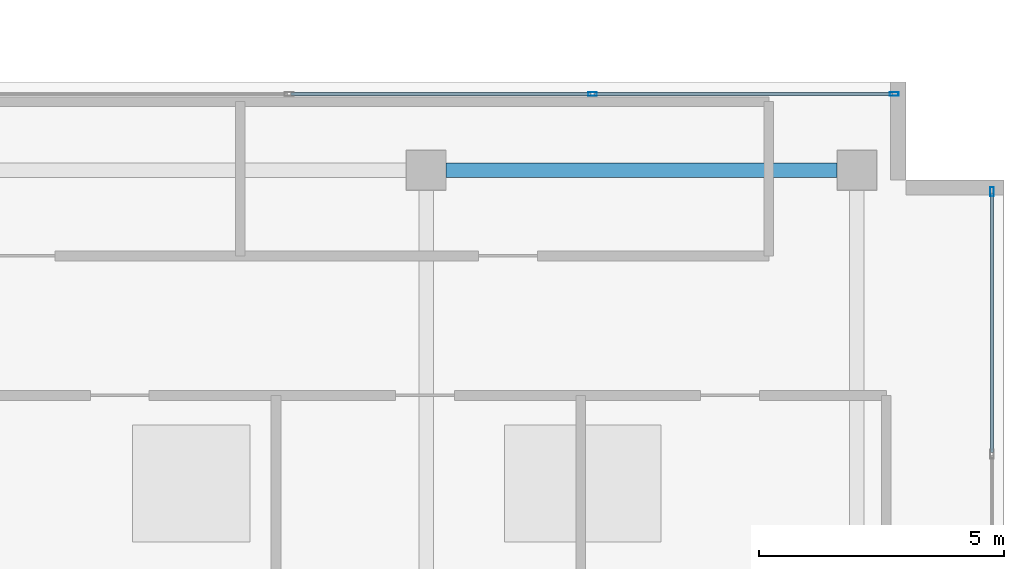
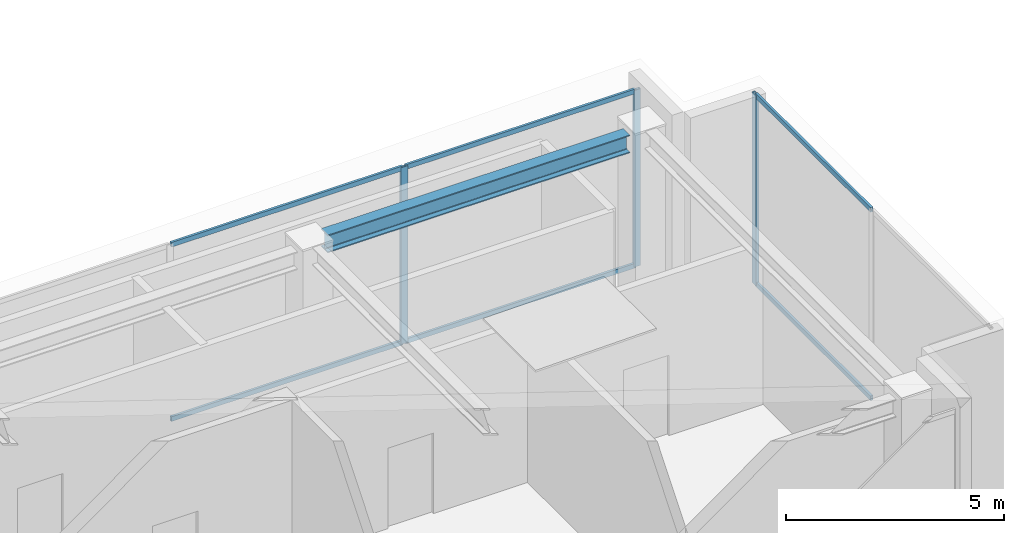
# One storey, part 15 of 22: 9 members, 1 beam, 2 elements without a shape of their own.
"""IFC4 building model written with IfcOpenShell, lengths in metres."""

from ifc_helpers import new_model, si_unit, direction, frame, origin, origin_with_axes, origin_2d, place, context, subcontext, project, spatial, hollow_rectangle, i_section, extrude, source, transform, mapped, material, layer, layer_set, material_profile, profile_set, type_object, element, aggregate, save


model = new_model("IFC4")

# Units and contexts
model_context = context("Model", 3, precision=1e-05, world=origin(), true_north=direction((0.0, 1.0)))
body_context = subcontext(model_context, "Body", "Model", "MODEL_VIEW")
ifc_project = project(units=[si_unit("LENGTHUNIT", "METRE"), si_unit("AREAUNIT", "SQUARE_METRE"), si_unit("VOLUMEUNIT", "CUBIC_METRE"), si_unit("PLANEANGLEUNIT", "RADIAN"), si_unit("MASSUNIT", "GRAM", prefix="KILO")], contexts=[model_context])

# Site, building, storey
site_placement = place(None, origin())
site = spatial("IfcSite", under=ifc_project, at=site_placement, CompositionType="ELEMENT")
building_placement = place(site_placement, origin())
building = spatial("IfcBuilding", under=site, at=building_placement, Name="Kolvaren Waterfront Exchange", CompositionType="ELEMENT")
storey_placement = place(building_placement, frame((0.0, 0.0, 360.39990234375)))
storey = spatial("IfcBuildingStorey", under=building, at=storey_placement, Name="RF", CompositionType="ELEMENT", Elevation=360.39990234375)

# Beam
ifc_material_1 = material(Name="Steel S355", Category="steel")
ifc_material_profile_1 = material_profile(ifc_material_1, i_section(OverallWidth=0.300048828125, OverallDepth=0.5, WebThickness=0.014404296875, FlangeThickness=0.028076171875, FilletRadius=0.027099609375, at=origin_2d()), Name="HEB500")
ifc_profile_set_1 = profile_set([ifc_material_profile_1], Name="Steel S355")
beam_type = type_object("IfcBeamType", Name="STR-BM-HEB500", PredefinedType="BEAM", material=ifc_profile_set_1)
beam_placement = place(storey_placement, frame((37.201904296875, 17.39990234375, 4.84375), z_axis=(1.0, 0.0, 0.0), x_axis=(0.0, 1.0, 0.0)))
element("IfcBeam", 1, at=beam_placement, inside=storey, type_object=beam_type, Name="RF crown roof girder 11", PredefinedType="SPANDREL", context=body_context, shape_type="SweptSolid", body=[
    extrude(i_section(OverallWidth=0.300048828125, OverallDepth=0.5, WebThickness=0.014404296875, FlangeThickness=0.028076171875, FilletRadius=0.027099609375, at=origin_2d()), origin(), (0.0, 0.0, 1.0), 7.99609375),
])

# Curtain wall, members
ifc_material_2 = material(Name="Anodised bronze aluminium 6063-T6", Category="aluminium")
ifc_layer = layer(ifc_material_2, 0.219970703125, Name="Anodised bronze aluminium 6063-T6")
ifc_layer_set = layer_set([ifc_layer], Name="Anodised bronze aluminium 6063-T6")
curtain_wall_type = type_object("IfcCurtainWallType", Name="ARC-CW-SYS5", PredefinedType="USERDEFINED", material=ifc_layer_set)
curtain_wall_1_placement = place(storey_placement, origin())
curtain_wall_1 = element("IfcCurtainWall", 2, at=curtain_wall_1_placement, inside=storey, type_object=curtain_wall_type, Name="RF stick curtain wall CW5 (CW-RF-EN)", ObjectType="STICK CURTAIN WALL", PredefinedType="USERDEFINED")
ifc_material_profile_2 = material_profile(ifc_material_2, hollow_rectangle(XDim=0.06494140625, YDim=0.1298828125, WallThickness=0.00390625, at=origin_2d()), Name="ALU-TRN-130x65x4")
ifc_profile_set_2 = profile_set([ifc_material_profile_2], Name="Anodised bronze aluminium 6063-T6")
member_type_1 = type_object("IfcMemberType", Name="ARC-CWT-130", PredefinedType="USERDEFINED", material=ifc_profile_set_2)
shared_shape_1 = source(origin_with_axes(), body_context, "Body", "SweptSolid", [
    extrude(hollow_rectangle(XDim=0.06494140625, YDim=0.1298828125, WallThickness=0.00390625, at=origin_2d()), origin(), (0.0, 0.0, 1.0), 6.08740234375),
])
member_1_placement = place(storey_placement, frame((40.237548828125, 18.9599609375, 0.03271484375), z_axis=(1.0, 0.0, 0.0), x_axis=(0.0, 1.0, 0.0)))
member_1 = element("IfcMember", 3, at=member_1_placement, type_object=member_type_1, Name="CW5 transom 3.1", ObjectType="TRANSOM", PredefinedType="USERDEFINED", context=body_context, shape_type="MappedRepresentation", body=[
    mapped(shared_shape_1, transform((0.0, 0.0, 0.0), x_axis=(1.0, 0.0, 0.0), y_axis=(0.0, 1.0, 0.0), z_axis=(0.0, 0.0, 1.0), scale=1.0)),
])
member_2_placement = place(storey_placement, frame((40.237548828125, 18.9599609375, 4.90869140625), z_axis=(1.0, 0.0, 0.0), x_axis=(0.0, 1.0, 0.0)))
member_2 = element("IfcMember", 4, at=member_2_placement, type_object=member_type_1, Name="CW5 transom 3.2", ObjectType="TRANSOM", PredefinedType="USERDEFINED", context=body_context, shape_type="MappedRepresentation", body=[
    mapped(shared_shape_1, transform((0.0, 0.0, 0.0), x_axis=(1.0, 0.0, 0.0), y_axis=(0.0, 1.0, 0.0), z_axis=(0.0, 0.0, 1.0), scale=1.0)),
])

curtain_wall_2_placement = place(storey_placement, origin())
curtain_wall_2 = element("IfcCurtainWall", 5, at=curtain_wall_2_placement, inside=storey, type_object=curtain_wall_type, Name="RF stick curtain wall CW5 (CW-RF-ET)", ObjectType="STICK CURTAIN WALL", PredefinedType="USERDEFINED")
ifc_material_profile_3 = material_profile(ifc_material_2, hollow_rectangle(XDim=0.074951171875, YDim=0.179931640625, WallThickness=0.00439453125, at=origin_2d()), Name="ALU-MUL-180x75x4.5")
ifc_profile_set_3 = profile_set([ifc_material_profile_3], Name="Anodised bronze aluminium 6063-T6")
member_type_2 = type_object("IfcMemberType", Name="ARC-CWM-180", PredefinedType="MULLION", material=ifc_profile_set_3)
shared_shape_2 = source(origin_with_axes(), body_context, "Body", "SweptSolid", [
    extrude(hollow_rectangle(XDim=0.074951171875, YDim=0.179931640625, WallThickness=0.00439453125, at=origin_2d()), origin(), (0.0, 0.0, 1.0), 5.33544921875),
])
member_3_placement = place(storey_placement, frame((48.360107421875, 16.96240234375, 0.0), z_axis=(0.0, 0.0, 1.0), x_axis=(-1.0, 0.0, 0.0)))
member_3 = element("IfcMember", 6, at=member_3_placement, type_object=member_type_2, Name="CW5 mullion 3", PredefinedType="MULLION", context=body_context, shape_type="MappedRepresentation", body=[
    mapped(shared_shape_2, transform((0.0, 0.0, 0.0), x_axis=(1.0, 0.0, 0.0), y_axis=(0.0, 1.0, 0.0), z_axis=(0.0, 0.0, 1.0), scale=1.0)),
])
shared_shape_3 = source(origin_with_axes(), body_context, "Body", "SweptSolid", [
    extrude(hollow_rectangle(XDim=0.06494140625, YDim=0.1298828125, WallThickness=0.00390625, at=origin_2d()), origin(), (0.0, 0.0, 1.0), 5.28759765625),
])
member_4_placement = place(storey_placement, frame((48.360107421875, 11.637451171875, 0.03271484375), z_axis=(0.0, 1.0, 0.0), x_axis=(-1.0, 0.0, 0.0)))
member_4 = element("IfcMember", 7, at=member_4_placement, type_object=member_type_1, Name="CW5 transom 2.1", ObjectType="TRANSOM", PredefinedType="USERDEFINED", context=body_context, shape_type="MappedRepresentation", body=[
    mapped(shared_shape_3, transform((0.0, 0.0, 0.0), x_axis=(1.0, 0.0, 0.0), y_axis=(0.0, 1.0, 0.0), z_axis=(0.0, 0.0, 1.0), scale=1.0)),
])
member_5_placement = place(storey_placement, frame((48.360107421875, 11.637451171875, 5.302978515625), z_axis=(0.0, 1.0, 0.0), x_axis=(-1.0, 0.0, 0.0)))
member_5 = element("IfcMember", 8, at=member_5_placement, type_object=member_type_1, Name="CW5 transom 2.2", ObjectType="TRANSOM", PredefinedType="USERDEFINED", context=body_context, shape_type="MappedRepresentation", body=[
    mapped(shared_shape_3, transform((0.0, 0.0, 0.0), x_axis=(1.0, 0.0, 0.0), y_axis=(0.0, 1.0, 0.0), z_axis=(0.0, 0.0, 1.0), scale=1.0)),
])
aggregate(curtain_wall_2, [member_3, member_4, member_5])

# Member
shared_shape_4 = source(origin_with_axes(), body_context, "Body", "SweptSolid", [
    extrude(hollow_rectangle(XDim=0.074951171875, YDim=0.179931640625, WallThickness=0.00439453125, at=origin_2d()), origin(), (0.0, 0.0, 1.0), 4.941162109375),
])
member_6_placement = place(storey_placement, frame((40.199951171875, 18.9599609375, 0.0), z_axis=(0.0, 0.0, 1.0), x_axis=(0.0, 1.0, 0.0)))
member_6 = element("IfcMember", 9, at=member_6_placement, type_object=member_type_2, Name="CW5 mullion 3", PredefinedType="MULLION", context=body_context, shape_type="MappedRepresentation", body=[
    mapped(shared_shape_4, transform((0.0, 0.0, 0.0), x_axis=(1.0, 0.0, 0.0), y_axis=(0.0, 1.0, 0.0), z_axis=(0.0, 0.0, 1.0), scale=1.0)),
])

member_7_placement = place(storey_placement, frame((46.362548828125, 18.9599609375, 0.0), z_axis=(0.0, 0.0, 1.0), x_axis=(0.0, 1.0, 0.0)))
member_7 = element("IfcMember", 10, at=member_7_placement, type_object=member_type_2, Name="CW5 mullion 4", PredefinedType="MULLION", context=body_context, shape_type="MappedRepresentation", body=[
    mapped(shared_shape_4, transform((0.0, 0.0, 0.0), x_axis=(1.0, 0.0, 0.0), y_axis=(0.0, 1.0, 0.0), z_axis=(0.0, 0.0, 1.0), scale=1.0)),
])

shared_shape_5 = source(origin_with_axes(), body_context, "Body", "SweptSolid", [
    extrude(hollow_rectangle(XDim=0.06494140625, YDim=0.1298828125, WallThickness=0.00390625, at=origin_2d()), origin(), (0.0, 0.0, 1.0), 6.125),
])
member_8_placement = place(storey_placement, frame((34.03759765625, 18.9599609375, 0.03271484375), z_axis=(1.0, 0.0, 0.0), x_axis=(0.0, 1.0, 0.0)))
member_8 = element("IfcMember", 11, at=member_8_placement, type_object=member_type_1, Name="CW5 transom 2.1", ObjectType="TRANSOM", PredefinedType="USERDEFINED", context=body_context, shape_type="MappedRepresentation", body=[
    mapped(shared_shape_5, transform((0.0, 0.0, 0.0), x_axis=(1.0, 0.0, 0.0), y_axis=(0.0, 1.0, 0.0), z_axis=(0.0, 0.0, 1.0), scale=1.0)),
])

member_9_placement = place(storey_placement, frame((34.03759765625, 18.9599609375, 4.90869140625), z_axis=(1.0, 0.0, 0.0), x_axis=(0.0, 1.0, 0.0)))
member_9 = element("IfcMember", 12, at=member_9_placement, type_object=member_type_1, Name="CW5 transom 2.2", ObjectType="TRANSOM", PredefinedType="USERDEFINED", context=body_context, shape_type="MappedRepresentation", body=[
    mapped(shared_shape_5, transform((0.0, 0.0, 0.0), x_axis=(1.0, 0.0, 0.0), y_axis=(0.0, 1.0, 0.0), z_axis=(0.0, 0.0, 1.0), scale=1.0)),
])

aggregate(curtain_wall_1, [member_6, member_7, member_8, member_9, member_1, member_2])

save(model, "model.ifc")
